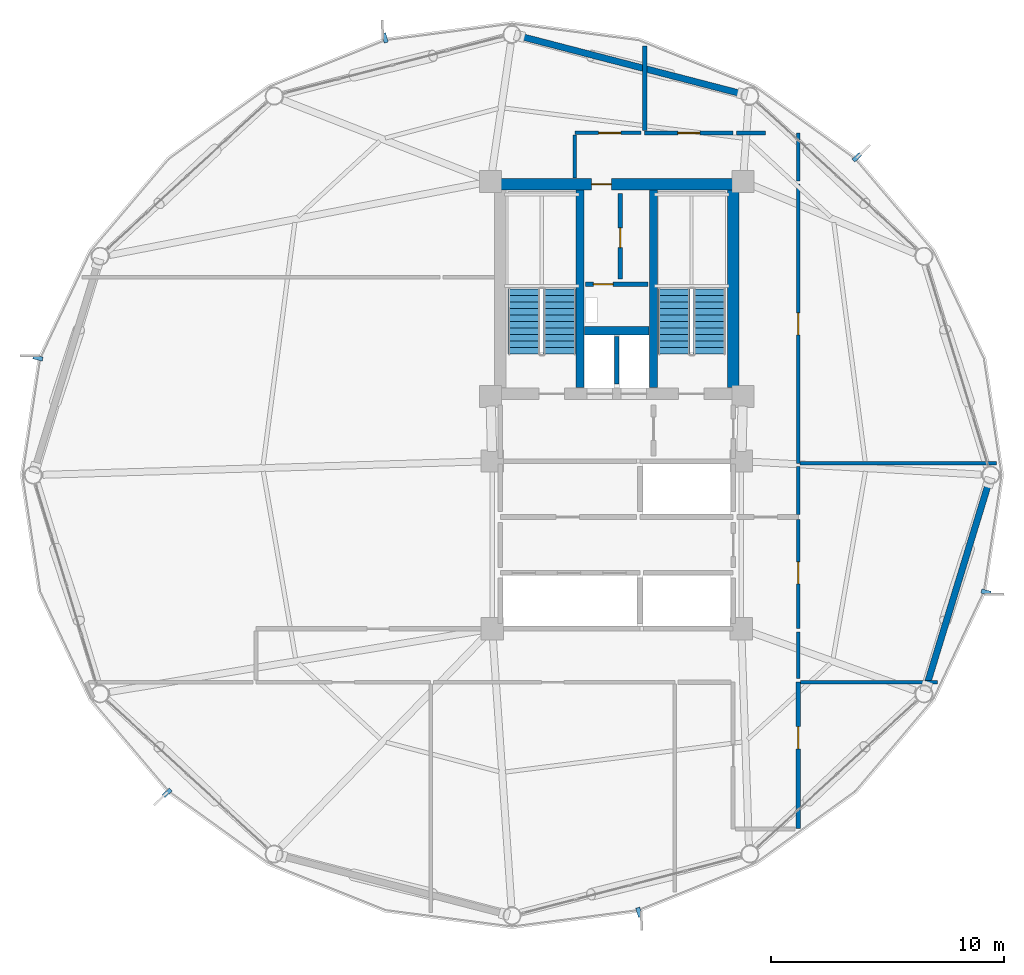
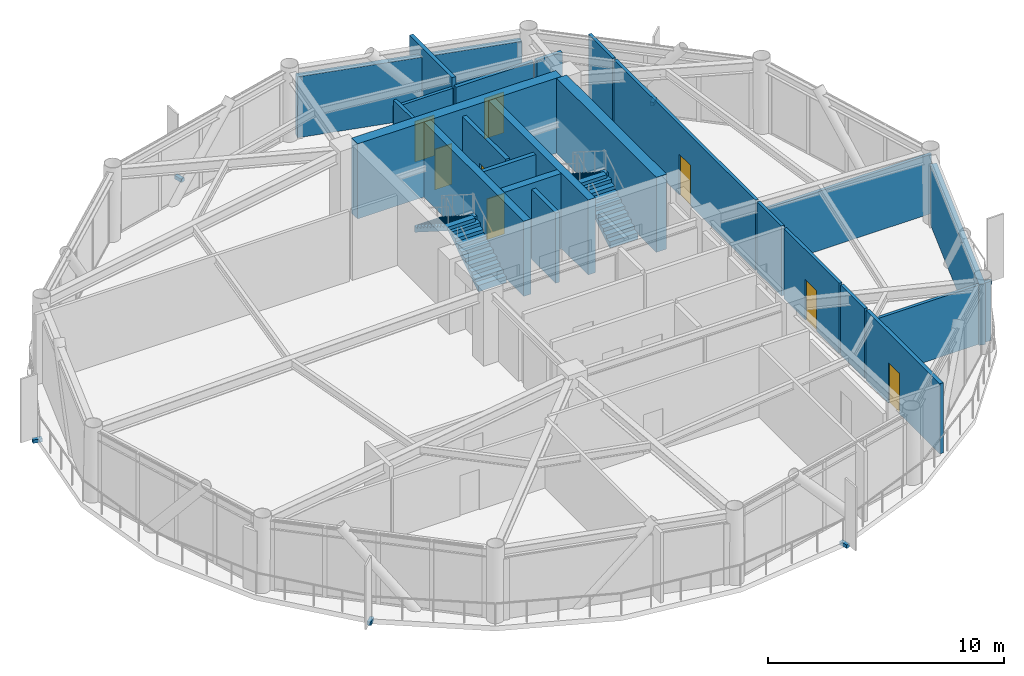
# One storey, part 21 of 24: 23 walls, 8 doors, 6 discrete accessories, 4 stair flights, 8 openings, 2 elements without a shape of their own.
"""IFC4 building model written with IfcOpenShell, lengths in metres."""

from ifc_helpers import new_model, si_unit, direction, frame, frame_2d, origin, origin_2d, place, context, subcontext, project, spatial, polyline, rectangle, outline, extrude, source, transform, mapped, material, layer, layer_set, type_object, type_shapes, element, fill, aggregate, save


model = new_model("IFC4")

# Units and contexts
model_context = context("Model", 3, precision=1e-05, world=origin(), true_north=direction((0.0, 1.0)))
body_context = subcontext(model_context, "Body", "Model", "MODEL_VIEW")
ifc_project = project(units=[si_unit("LENGTHUNIT", "METRE"), si_unit("AREAUNIT", "SQUARE_METRE"), si_unit("VOLUMEUNIT", "CUBIC_METRE"), si_unit("PLANEANGLEUNIT", "RADIAN"), si_unit("MASSUNIT", "GRAM", prefix="KILO")], contexts=[model_context])

# Site, building, storey
site_placement = place(None, origin())
site = spatial("IfcSite", under=ifc_project, at=site_placement, CompositionType="ELEMENT")
building_placement = place(site_placement, origin())
building = spatial("IfcBuilding", under=site, at=building_placement, Name="Varnakorn Sky Granary", CompositionType="ELEMENT")
storey_placement = place(building_placement, frame((0.0, 0.0, 161.699951171875)))
storey = spatial("IfcBuildingStorey", under=building, at=storey_placement, Name="L40", CompositionType="ELEMENT", Elevation=161.699951171875)

# Walls
ifc_material_1 = material(Name="Concrete C50/60", Category="concrete")
ifc_layer_1 = layer(ifc_material_1, 0.35009765625, Name="Concrete C50/60")
ifc_layer_set_1 = layer_set([ifc_layer_1], Name="Concrete C50/60")
wall_type_1 = type_object("IfcWallType", Name="WT-CW-INT-350", PredefinedType="SHEAR", material=ifc_layer_set_1)
for number, where, z_axis, x_axis, name in (
    (1, (1.419921875, 3.760009765625, 0.0), (0.0, 0.0, 1.0), (0.0, 1.0, 0.0), "Stair ST-1 Core Wall L40"),
    (2, (4.580078125, 3.760009765625, 0.0), (0.0, 0.0, 1.0), (0.0, 1.0, 0.0), "Stair ST-2 Core Wall L40"),
):
    element("IfcWall", number, at=place(storey_placement, frame(where, z_axis=z_axis, x_axis=x_axis)), inside=storey, type_object=wall_type_1, Name=name, PredefinedType="SHEAR", context=body_context, shape_type="SweptSolid", body=[
        extrude(rectangle(XDim=8.47998046875, YDim=0.35009765625, at=frame_2d((4.239990234375, 0.0))), origin(), (0.0, 0.0, 1.0), 3.89208984375),
    ])
wall_1_placement = place(storey_placement, frame((1.610107421875, 6.199951171875, 0.0), z_axis=(0.0, 0.0, 1.0), x_axis=(1.0, 0.0, 0.0)))
element("IfcWall", 3, at=wall_1_placement, inside=storey, type_object=wall_type_1, Name="Core Lift Shaft Cross Wall L40", PredefinedType="SHEAR", context=body_context, shape_type="SweptSolid", body=[
    extrude(rectangle(XDim=2.77978515625, YDim=0.35009765625, at=frame_2d((1.389892578125, 0.0))), origin(), (0.0, 0.0, 1.0), 3.89208984375),
])

# Wall, opening, door
ifc_material_2 = material(Name="Concrete C60/75", Category="concrete")
ifc_layer_2 = layer(ifc_material_2, 0.5, Name="Concrete C60/75")
ifc_layer_set_2 = layer_set([ifc_layer_2], Name="Concrete C60/75")
wall_type_2 = type_object("IfcWallType", Name="WT-CW-SHEAR-500", PredefinedType="SHEAR", material=ifc_layer_set_2)
wall_2_placement = place(storey_placement, frame((-2.0, 12.5, 0.0), z_axis=(0.0, 0.0, 1.0), x_axis=(1.0, 0.0, 0.0)))
wall_2 = element("IfcWall", 4, at=wall_2_placement, inside=storey, type_object=wall_type_2, Name="Core North Shear Wall L40", PredefinedType="SHEAR", context=body_context, shape_type="SweptSolid", body=[
    extrude(rectangle(XDim=10.0, YDim=0.5, at=frame_2d((5.0, 0.0))), origin(), (0.0, 0.0, 1.0), 3.89208984375),
])
opening_1_placement = place(wall_2_placement, frame((3.919921875, 0.0, 0.0)))
opening_1 = element("IfcOpeningElement", 5, at=opening_1_placement, cuts=wall_2, Name="Opening FD-60N", PredefinedType="OPENING", context=body_context, shape_type="SweptSolid", body=[
    extrude(rectangle(XDim=0.85009765625, YDim=2.10009765625, at=frame_2d((0.425048828125, 1.050048828125))), frame((0.0, 0.260009765625, 0.0), z_axis=(0.0, -1.0, 0.0), x_axis=(1.0, 0.0, 0.0)), (0.0, 0.0, 1.0), 0.52001953125),
])
ifc_material_3 = material(Name="Acoustic Timber Fire Leaf", Category="wood")
door_type_1 = type_object("IfcDoorType", Name="DR-FD60-850", OperationType="NOTDEFINED", PredefinedType="DOOR", material=ifc_material_3)
door_1_placement = place(opening_1_placement, origin())
door_1 = element("IfcDoor", 6, at=door_1_placement, inside=storey, type_object=door_type_1, Name="Core North Service Door L40", OperationType="SINGLE_SWING_RIGHT", OverallHeight=2.10009765625, OverallWidth=0.85009765625, PredefinedType="DOOR", context=body_context, shape_type="SweptSolid", body=[
    extrude(rectangle(XDim=0.85009765625, YDim=2.10009765625, at=frame_2d((0.425048828125, 1.050048828125))), frame((0.0, 0.02490234375, 0.0), z_axis=(0.0, -1.0, 0.0), x_axis=(1.0, 0.0, 0.0)), (0.0, 0.0, 1.0), 0.050048828125),
])
fill(opening_1, door_1)

# Walls
wall_3_placement = place(storey_placement, frame((8.0, 3.760009765625, 0.0), z_axis=(0.0, 0.0, 1.0), x_axis=(0.0, 1.0, 0.0)))
element("IfcWall", 7, at=wall_3_placement, inside=storey, type_object=wall_type_2, Name="Core East Shear Wall L40", PredefinedType="SHEAR", context=body_context, shape_type="SweptSolid", body=[
    extrude(rectangle(XDim=8.47998046875, YDim=0.5, at=frame_2d((4.239990234375, 0.0))), origin(), (0.0, 0.0, 1.0), 3.89208984375),
])
ifc_material_4 = material(Name="Precast concrete C40/50", Category="concrete")
ifc_layer_3 = layer(ifc_material_4, 0.280029296875, Name="Precast concrete C40/50")
ifc_layer_set_3 = layer_set([ifc_layer_3], Name="Precast concrete C40/50")
wall_type_3 = type_object("IfcWallType", Name="WT-EW-CRN-280", PredefinedType="SOLIDWALL", material=ifc_layer_set_3)
wall_4_placement = place(storey_placement, frame((-1.1748046875, 18.860595703125, 0.0), z_axis=(0.0, 0.0, 1.0), x_axis=(0.96789688357, -0.251347613429, 0.0)))
element("IfcWall", 8, at=wall_4_placement, inside=storey, type_object=wall_type_3, Name="Agritech Insulated Precast Facade Wall L40-P03", PredefinedType="SOLIDWALL", context=body_context, shape_type="SweptSolid", body=[
    extrude(rectangle(XDim=9.89111328125, YDim=0.280029296875, at=frame_2d((4.945556640625, 0.0))), origin(), (0.0, 0.0, 1.0), 3.16015625),
])
wall_5_placement = place(storey_placement, frame((18.98486328125, -0.3212890625, 0.0), z_axis=(0.0, 0.0, 1.0), x_axis=(-0.292299091036, -0.95632695318, 0.0)))
element("IfcWall", 9, at=wall_5_placement, inside=storey, type_object=wall_type_3, Name="Agritech Insulated Precast Facade Wall L40-P12", PredefinedType="SOLIDWALL", context=body_context, shape_type="SweptSolid", body=[
    extrude(rectangle(XDim=9.16259765625, YDim=0.280029296875, at=frame_2d((4.581298828125, 0.0))), origin(), (0.0, 0.0, 1.0), 3.16015625),
])

# Wall, opening, door
ifc_material_5 = material(Name="Autoclaved Aerated Concrete Blockwork", Category="masonry")
ifc_layer_4 = layer(ifc_material_5, 0.199951171875, Name="Autoclaved Aerated Concrete Blockwork")
ifc_layer_set_4 = layer_set([ifc_layer_4], Name="Autoclaved Aerated Concrete Blockwork")
wall_type_4 = type_object("IfcWallType", Name="WT-FIRE-200", PredefinedType="MOVABLE", material=ifc_layer_set_4)
wall_6_placement = place(storey_placement, frame((1.64990234375, 8.199951171875, 0.0), z_axis=(0.0, 0.0, 1.0), x_axis=(1.0, 0.0, 0.0)))
wall_6 = element("IfcWall", 10, at=wall_6_placement, inside=storey, type_object=wall_type_4, Name="Interior Partition Wall L40-013", PredefinedType="MOVABLE", context=body_context, shape_type="SweptSolid", body=[
    extrude(rectangle(XDim=2.7001953125, YDim=0.199951171875, at=frame_2d((1.35009765625, 0.0))), origin(), (0.0, 0.0, 1.0), 3.64013671875),
])
opening_2_placement = place(wall_6_placement, frame((0.35009765625, 0.0, 0.0)))
opening_2 = element("IfcOpeningElement", 11, at=opening_2_placement, cuts=wall_6, Name="Opening FD-60N", PredefinedType="OPENING", context=body_context, shape_type="SweptSolid", body=[
    extrude(rectangle(XDim=0.85009765625, YDim=2.10009765625, at=frame_2d((0.425048828125, 1.050048828125))), frame((0.0, 0.10986328125, 0.0), z_axis=(0.0, -1.0, 0.0), x_axis=(1.0, 0.0, 0.0)), (0.0, 0.0, 1.0), 0.219970703125),
])
door_2_placement = place(opening_2_placement, origin())
door_2 = element("IfcDoor", 12, at=door_2_placement, inside=storey, type_object=door_type_1, Name="Interior Door L40-013-1", OperationType="SINGLE_SWING_LEFT", OverallHeight=2.10009765625, OverallWidth=0.85009765625, PredefinedType="DOOR", context=body_context, shape_type="SweptSolid", body=[
    extrude(rectangle(XDim=0.85009765625, YDim=2.10009765625, at=frame_2d((0.425048828125, 1.050048828125))), frame((0.0, 0.02490234375, 0.0), z_axis=(0.0, -1.0, 0.0), x_axis=(1.0, 0.0, 0.0)), (0.0, 0.0, 1.0), 0.050048828125),
])
fill(opening_2, door_2)

wall_7_placement = place(storey_placement, frame((3.14990234375, 8.429931640625, 0.0), z_axis=(0.0, 0.0, 1.0), x_axis=(0.0, 1.0, 0.0)))
wall_7 = element("IfcWall", 13, at=wall_7_placement, inside=storey, type_object=wall_type_4, Name="Interior Partition Wall L40-014", PredefinedType="MOVABLE", context=body_context, shape_type="SweptSolid", body=[
    extrude(rectangle(XDim=3.670166015625, YDim=0.199951171875, at=frame_2d((1.8349609375, 0.0))), origin(), (0.0, 0.0, 1.0), 3.64013671875),
])
opening_3_placement = place(wall_7_placement, frame((1.340087890625, 0.0, 0.0)))
opening_3 = element("IfcOpeningElement", 14, at=opening_3_placement, cuts=wall_7, Name="Opening FD-60N", PredefinedType="OPENING", context=body_context, shape_type="SweptSolid", body=[
    extrude(rectangle(XDim=0.85009765625, YDim=2.10009765625, at=frame_2d((0.425048828125, 1.050048828125))), frame((0.0, 0.10986328125, 0.0), z_axis=(0.0, -1.0, 0.0), x_axis=(1.0, 0.0, 0.0)), (0.0, 0.0, 1.0), 0.219970703125),
])
door_3_placement = place(opening_3_placement, origin())
door_3 = element("IfcDoor", 15, at=door_3_placement, inside=storey, type_object=door_type_1, Name="Interior Door L40-014-1", OperationType="SINGLE_SWING_RIGHT", OverallHeight=2.10009765625, OverallWidth=0.85009765625, PredefinedType="DOOR", context=body_context, shape_type="SweptSolid", body=[
    extrude(rectangle(XDim=0.85009765625, YDim=2.10009765625, at=frame_2d((0.425048828125, 1.050048828125))), frame((0.0, 0.02490234375, 0.0), z_axis=(0.0, -1.0, 0.0), x_axis=(1.0, 0.0, 0.0)), (0.0, 0.0, 1.0), 0.050048828125),
])
fill(opening_3, door_3)

ifc_material_6 = material(Name="Gypsum Plasterboard on Steel Stud", Category="steel")
ifc_layer_5 = layer(ifc_material_6, 0.14990234375, Name="Gypsum Plasterboard on Steel Stud")
ifc_layer_set_5 = layer_set([ifc_layer_5], Name="Gypsum Plasterboard on Steel Stud")
wall_type_5 = type_object("IfcWallType", Name="WT-PART-150", PredefinedType="PARTITIONING", material=ifc_layer_set_5)
wall_8_placement = place(storey_placement, frame((4.050048828125, 14.699951171875, 0.0), z_axis=(0.0, 0.0, 1.0), x_axis=(-1.0, 0.0, 0.0)))
wall_8 = element("IfcWall", 16, at=wall_8_placement, inside=storey, type_object=wall_type_5, Name="Interior Partition Wall L40-026", PredefinedType="PARTITIONING", context=body_context, shape_type="SweptSolid", body=[
    extrude(rectangle(XDim=2.85009765625, YDim=0.14990234375, at=frame_2d((1.425048828125, 0.0))), origin(), (0.0, 0.0, 1.0), 3.22216796875),
])
opening_4_placement = place(wall_8_placement, frame((0.875, 0.0, 0.0)))
opening_4 = element("IfcOpeningElement", 17, at=opening_4_placement, cuts=wall_8, Name="Opening ID-95", PredefinedType="OPENING", context=body_context, shape_type="SweptSolid", body=[
    extrude(rectangle(XDim=0.949951171875, YDim=2.10009765625, at=frame_2d((0.47509765625, 1.050048828125))), frame((0.0, 0.0849609375, 0.0), z_axis=(0.0, -1.0, 0.0), x_axis=(1.0, 0.0, 0.0)), (0.0, 0.0, 1.0), 0.169921875),
])
ifc_material_7 = material(Name="Solid-Core Teak Veneer Leaf", Category="timber")
door_type_2 = type_object("IfcDoorType", Name="DR-INT-950", OperationType="NOTDEFINED", PredefinedType="DOOR", material=ifc_material_7)
door_4_placement = place(opening_4_placement, origin())
door_4 = element("IfcDoor", 18, at=door_4_placement, inside=storey, type_object=door_type_2, Name="Interior Door L40-026-1", OperationType="SINGLE_SWING_RIGHT", OverallHeight=2.10009765625, OverallWidth=0.949951171875, PredefinedType="DOOR", context=body_context, shape_type="SweptSolid", body=[
    extrude(rectangle(XDim=0.949951171875, YDim=2.10009765625, at=frame_2d((0.47509765625, 1.050048828125))), frame((0.0, 0.02490234375, 0.0), z_axis=(0.0, -1.0, 0.0), x_axis=(1.0, 0.0, 0.0)), (0.0, 0.0, 1.0), 0.050048828125),
])
fill(opening_4, door_4)

wall_9_placement = place(storey_placement, frame((10.800048828125, -6.60009765625, 0.0), z_axis=(0.0, 0.0, 1.0), x_axis=(0.0, 1.0, 0.0)))
wall_9 = element("IfcWall", 19, at=wall_9_placement, inside=storey, type_object=wall_type_5, Name="Interior Partition Wall L40-027", PredefinedType="PARTITIONING", context=body_context, shape_type="SweptSolid", body=[
    extrude(rectangle(XDim=4.690185546875, YDim=0.14990234375, at=frame_2d((2.34521484375, 0.0))), origin(), (0.0, 0.0, 1.0), 3.64013671875),
])
opening_5_placement = place(wall_9_placement, frame((1.925048828125, 0.0, 0.0)))
opening_5 = element("IfcOpeningElement", 20, at=opening_5_placement, cuts=wall_9, Name="Opening ID-95", PredefinedType="OPENING", context=body_context, shape_type="SweptSolid", body=[
    extrude(rectangle(XDim=0.949951171875, YDim=2.10009765625, at=frame_2d((0.47509765625, 1.050048828125))), frame((0.0, 0.0849609375, 0.0), z_axis=(0.0, -1.0, 0.0), x_axis=(1.0, 0.0, 0.0)), (0.0, 0.0, 1.0), 0.169921875),
])
door_5_placement = place(opening_5_placement, origin())
door_5 = element("IfcDoor", 21, at=door_5_placement, inside=storey, type_object=door_type_2, Name="Interior Door L40-027-1", OperationType="SINGLE_SWING_LEFT", OverallHeight=2.10009765625, OverallWidth=0.949951171875, PredefinedType="DOOR", context=body_context, shape_type="SweptSolid", body=[
    extrude(rectangle(XDim=0.949951171875, YDim=2.10009765625, at=frame_2d((0.47509765625, 1.050048828125))), frame((0.0, 0.02490234375, 0.0), z_axis=(0.0, -1.0, 0.0), x_axis=(1.0, 0.0, 0.0)), (0.0, 0.0, 1.0), 0.050048828125),
])
fill(opening_5, door_5)

wall_10_placement = place(storey_placement, frame((10.800048828125, 0.5, 0.0), z_axis=(0.0, 0.0, 1.0), x_axis=(0.0, 1.0, 0.0)))
wall_10 = element("IfcWall", 22, at=wall_10_placement, inside=storey, type_object=wall_type_5, Name="Interior Partition Wall L40-028", PredefinedType="PARTITIONING", context=body_context, shape_type="SweptSolid", body=[
    extrude(rectangle(XDim=12.0, YDim=0.14990234375, at=frame_2d((6.0, 0.0))), origin(), (0.0, 0.0, 1.0), 3.64013671875),
])
opening_6_placement = place(wall_10_placement, frame((5.52490234375, 0.0, 0.0)))
opening_6 = element("IfcOpeningElement", 23, at=opening_6_placement, cuts=wall_10, Name="Opening ID-95", PredefinedType="OPENING", context=body_context, shape_type="SweptSolid", body=[
    extrude(rectangle(XDim=0.949951171875, YDim=2.10009765625, at=frame_2d((0.47509765625, 1.050048828125))), frame((0.0, 0.0849609375, 0.0), z_axis=(0.0, -1.0, 0.0), x_axis=(1.0, 0.0, 0.0)), (0.0, 0.0, 1.0), 0.169921875),
])
door_6_placement = place(opening_6_placement, origin())
door_6 = element("IfcDoor", 24, at=door_6_placement, inside=storey, type_object=door_type_2, Name="Interior Door L40-028-1", OperationType="SINGLE_SWING_RIGHT", OverallHeight=2.10009765625, OverallWidth=0.949951171875, PredefinedType="DOOR", context=body_context, shape_type="SweptSolid", body=[
    extrude(rectangle(XDim=0.949951171875, YDim=2.10009765625, at=frame_2d((0.47509765625, 1.050048828125))), frame((0.0, 0.02490234375, 0.0), z_axis=(0.0, -1.0, 0.0), x_axis=(1.0, 0.0, 0.0)), (0.0, 0.0, 1.0), 0.050048828125),
])
fill(opening_6, door_6)

# Walls
wall_11_placement = place(storey_placement, frame((10.89990234375, -8.89990234375, 0.0), z_axis=(0.0, 0.0, 1.0), x_axis=(1.0, 0.0, 0.0)))
element("IfcWall", 25, at=wall_11_placement, inside=storey, type_object=wall_type_5, Name="Interior Partition Wall L40-040", PredefinedType="PARTITIONING", context=body_context, shape_type="SweptSolid", body=[
    extrude(rectangle(XDim=5.88818359375, YDim=0.14990234375, at=frame_2d((2.944091796875, 0.0))), origin(), (0.0, 0.0, 1.0), 3.072021484375),
])
wall_12_placement = place(storey_placement, frame((1.199951171875, 14.614990234375, 0.0), z_axis=(0.0, 0.0, 1.0), x_axis=(0.0, -1.0, 0.0)))
element("IfcWall", 26, at=wall_12_placement, inside=storey, type_object=wall_type_5, Name="Interior Partition Wall L40-044", PredefinedType="PARTITIONING", context=body_context, shape_type="SweptSolid", body=[
    extrude(rectangle(XDim=1.85498046875, YDim=0.14990234375, at=frame_2d((0.927490234375, 0.0))), origin(), (0.0, 0.0, 1.0), 3.64013671875),
])
wall_13_placement = place(storey_placement, frame((10.800048828125, -8.75, 0.0), z_axis=(0.0, 0.0, 1.0), x_axis=(0.0, 1.0, 0.0)))
element("IfcWall", 27, at=wall_13_placement, inside=storey, type_object=wall_type_5, Name="Interior Partition Wall L40-046", PredefinedType="PARTITIONING", context=body_context, shape_type="SweptSolid", body=[
    extrude(rectangle(XDim=2.014892578125, YDim=0.14990234375, at=frame_2d((1.00732421875, 0.0))), origin(), (0.0, 0.0, 1.0), 3.64013671875),
])
wall_14_placement = place(storey_placement, frame((10.800048828125, -1.68994140625, 0.0), z_axis=(0.0, 0.0, 1.0), x_axis=(0.0, 1.0, 0.0)))
element("IfcWall", 28, at=wall_14_placement, inside=storey, type_object=wall_type_5, Name="Interior Partition Wall L40-047", PredefinedType="PARTITIONING", context=body_context, shape_type="SweptSolid", body=[
    extrude(rectangle(XDim=2.054931640625, YDim=0.14990234375, at=frame_2d((1.02734375, 0.0))), origin(), (0.0, 0.0, 1.0), 3.64013671875),
])
wall_15_placement = place(storey_placement, frame((10.885009765625, 0.5, 0.0), z_axis=(0.0, 0.0, 1.0), x_axis=(1.0, 0.0, 0.0)))
element("IfcWall", 29, at=wall_15_placement, inside=storey, type_object=wall_type_5, Name="Interior Partition Wall L40-048", PredefinedType="PARTITIONING", context=body_context, shape_type="SweptSolid", body=[
    extrude(rectangle(XDim=8.431884765625, YDim=0.14990234375, at=frame_2d((4.2158203125, 0.0))), origin(), (0.0, 0.0, 1.0), 3.072021484375),
])
wall_16_placement = place(storey_placement, frame((10.800048828125, 12.635009765625, 0.0), z_axis=(0.0, 0.0, 1.0), x_axis=(0.0, 1.0, 0.0)))
element("IfcWall", 30, at=wall_16_placement, inside=storey, type_object=wall_type_5, Name="Interior Partition Wall L40-049", PredefinedType="PARTITIONING", context=body_context, shape_type="SweptSolid", body=[
    extrude(rectangle(XDim=2.06494140625, YDim=0.14990234375, at=frame_2d((1.032470703125, 0.0))), origin(), (0.0, 0.0, 1.0), 3.64013671875),
])

# Wall, opening, door
ifc_material_8 = material(Name="Moisture-Resistant Gypsum on Stud", Category="gypsum")
ifc_layer_6 = layer(ifc_material_8, 0.179931640625, Name="Moisture-Resistant Gypsum on Stud")
ifc_layer_set_6 = layer_set([ifc_layer_6], Name="Moisture-Resistant Gypsum on Stud")
wall_type_6 = type_object("IfcWallType", Name="WT-PLUMB-180", PredefinedType="PLUMBINGWALL", material=ifc_layer_set_6)
wall_17_placement = place(storey_placement, frame((8.0, 14.699951171875, 0.0), z_axis=(0.0, 0.0, 1.0), x_axis=(-1.0, 0.0, 0.0)))
wall_17 = element("IfcWall", 31, at=wall_17_placement, inside=storey, type_object=wall_type_6, Name="Interior Partition Wall L40-020", PredefinedType="PLUMBINGWALL", context=body_context, shape_type="SweptSolid", body=[
    extrude(rectangle(XDim=3.800048828125, YDim=0.179931640625, at=frame_2d((1.89990234375, 0.0))), origin(), (0.0, 0.0, 1.0), 3.22216796875),
])
opening_7_placement = place(wall_17_placement, frame((1.425048828125, 0.0, 0.0)))
opening_7 = element("IfcOpeningElement", 32, at=opening_7_placement, cuts=wall_17, Name="Opening ID-95", PredefinedType="OPENING", context=body_context, shape_type="SweptSolid", body=[
    extrude(rectangle(XDim=0.949951171875, YDim=2.10009765625, at=frame_2d((0.47509765625, 1.050048828125))), frame((0.0, 0.10009765625, 0.0), z_axis=(0.0, -1.0, 0.0), x_axis=(1.0, 0.0, 0.0)), (0.0, 0.0, 1.0), 0.199951171875),
])
door_7_placement = place(opening_7_placement, origin())
door_7 = element("IfcDoor", 33, at=door_7_placement, inside=storey, type_object=door_type_2, Name="Interior Door L40-020-1", OperationType="SINGLE_SWING_RIGHT", OverallHeight=2.10009765625, OverallWidth=0.949951171875, PredefinedType="DOOR", context=body_context, shape_type="SweptSolid", body=[
    extrude(rectangle(XDim=0.949951171875, YDim=2.10009765625, at=frame_2d((0.47509765625, 1.050048828125))), frame((0.0, 0.02490234375, 0.0), z_axis=(0.0, -1.0, 0.0), x_axis=(1.0, 0.0, 0.0)), (0.0, 0.0, 1.0), 0.050048828125),
])
fill(opening_7, door_7)

wall_18_placement = place(storey_placement, frame((10.800048828125, -15.176025390625, 0.0), z_axis=(0.0, 0.0, 1.0), x_axis=(0.0, 1.0, 0.0)))
wall_18 = element("IfcWall", 34, at=wall_18_placement, inside=storey, type_object=wall_type_6, Name="Interior Partition Wall L40-024", PredefinedType="PLUMBINGWALL", context=body_context, shape_type="SweptSolid", body=[
    extrude(rectangle(XDim=6.276123046875, YDim=0.179931640625, at=frame_2d((3.13818359375, 0.0))), origin(), (0.0, 0.0, 1.0), 3.64013671875),
])
opening_8_placement = place(wall_18_placement, frame((3.4130859375, 0.0, 0.0)))
opening_8 = element("IfcOpeningElement", 35, at=opening_8_placement, cuts=wall_18, Name="Opening ID-95", PredefinedType="OPENING", context=body_context, shape_type="SweptSolid", body=[
    extrude(rectangle(XDim=0.949951171875, YDim=2.10009765625, at=frame_2d((0.47509765625, 1.050048828125))), frame((0.0, 0.10009765625, 0.0), z_axis=(0.0, -1.0, 0.0), x_axis=(1.0, 0.0, 0.0)), (0.0, 0.0, 1.0), 0.199951171875),
])
door_8_placement = place(opening_8_placement, origin())
door_8 = element("IfcDoor", 36, at=door_8_placement, inside=storey, type_object=door_type_2, Name="Interior Door L40-024-1", OperationType="SINGLE_SWING_RIGHT", OverallHeight=2.10009765625, OverallWidth=0.949951171875, PredefinedType="DOOR", context=body_context, shape_type="SweptSolid", body=[
    extrude(rectangle(XDim=0.949951171875, YDim=2.10009765625, at=frame_2d((0.47509765625, 1.050048828125))), frame((0.0, 0.02490234375, 0.0), z_axis=(0.0, -1.0, 0.0), x_axis=(1.0, 0.0, 0.0)), (0.0, 0.0, 1.0), 0.050048828125),
])
fill(opening_8, door_8)

# Walls
wall_19_placement = place(storey_placement, frame((9.39990234375, 14.699951171875, 0.0), z_axis=(0.0, 0.0, 1.0), x_axis=(-1.0, 0.0, 0.0)))
element("IfcWall", 37, at=wall_19_placement, inside=storey, type_object=wall_type_6, Name="Interior Partition Wall L40-033", PredefinedType="PLUMBINGWALL", context=body_context, shape_type="SweptSolid", body=[
    extrude(rectangle(XDim=1.25, YDim=0.179931640625, at=frame_2d((0.625, 0.0))), origin(), (0.0, 0.0, 1.0), 3.22216796875),
])
wall_20_placement = place(storey_placement, frame((4.199951171875, 18.43408203125, 0.0), z_axis=(0.0, 0.0, 1.0), x_axis=(0.0, -1.0, 0.0)))
element("IfcWall", 38, at=wall_20_placement, inside=storey, type_object=wall_type_6, Name="Interior Partition Wall L40-045", PredefinedType="PLUMBINGWALL", context=body_context, shape_type="SweptSolid", body=[
    extrude(rectangle(XDim=3.634033203125, YDim=0.179931640625, at=frame_2d((1.81689453125, 0.0))), origin(), (0.0, 0.0, 1.0), 3.64013671875),
])
ifc_layer_7 = layer(ifc_material_5, 0.199951171875, Name="Autoclaved Aerated Concrete Blockwork")
ifc_layer_set_7 = layer_set([ifc_layer_7], Name="Autoclaved Aerated Concrete Blockwork")
wall_type_7 = type_object("IfcWallType", Name="WT-SHAFT-200", PredefinedType="SOLIDWALL", material=ifc_layer_set_7)
wall_21_placement = place(storey_placement, frame((3.0, 3.919921875, 0.0), z_axis=(0.0, 0.0, 1.0), x_axis=(0.0, 1.0, 0.0)))
element("IfcWall", 39, at=wall_21_placement, inside=storey, type_object=wall_type_7, Name="Interior Partition Wall L40-001", PredefinedType="SOLIDWALL", context=body_context, shape_type="SweptSolid", body=[
    extrude(rectangle(XDim=2.030029296875, YDim=0.199951171875, at=frame_2d((1.01513671875, 0.0))), origin(), (0.0, 0.0, 1.0), 3.64013671875),
])

# Stair, stair flights
ifc_material_9 = material(Name="Concrete C40/50", Category="concrete")
stair_type = type_object("IfcStairType", Name="ST-MAIN-ASSEMBLY", PredefinedType="HALF_TURN_STAIR", material=ifc_material_9)
stair_1_placement = place(storey_placement, origin())
stair_1 = element("IfcStair", 40, at=stair_1_placement, inside=storey, type_object=stair_type, Name="L40 Protected Exit Stair ST-1", PredefinedType="HALF_TURN_STAIR")
stair_flight_type = type_object("IfcStairFlightType", Name="ST-MAIN-FLIGHT", PredefinedType="STRAIGHT", material=ifc_material_9)
stair_flight_1_placement = place(storey_placement, frame((0.550048828125, 5.199951171875, 0.0), z_axis=(0.0, 0.0, 1.0), x_axis=(0.0, 1.0, 0.0)))
stair_flight_1 = element("IfcStairFlight", 41, at=stair_flight_1_placement, type_object=stair_flight_type, Name="ST-1 flight 1", NumberOfRisers=11, NumberOfTreads=10, PredefinedType="STRAIGHT", RiserHeight=0.177272727, TreadLength=0.28, context=body_context, shape_type="SweptSolid", body=[
    extrude(outline(polyline([(0.0, -0.14990234375), (0.0, 0.0), (0.0, 0.17724609375), (0.280029296875, 0.17724609375), (0.280029296875, 0.3544921875), (0.56005859375, 0.3544921875), (0.56005859375, 0.53173828125), (0.840087890625, 0.53173828125), (0.840087890625, 0.708984375), (1.1201171875, 0.708984375), (1.1201171875, 0.886474609375), (1.39990234375, 0.886474609375), (1.39990234375, 1.063720703125), (1.679931640625, 1.063720703125), (1.679931640625, 1.240966796875), (1.9599609375, 1.240966796875), (1.9599609375, 1.418212890625), (2.239990234375, 1.418212890625), (2.239990234375, 1.595458984375), (2.52001953125, 1.595458984375), (2.52001953125, 1.772705078125), (2.800048828125, 1.772705078125), (2.800048828125, 1.949951171875), (2.800048828125, 1.59521484375), (0.050048828125, -0.14990234375), (0.0, -0.14990234375)])), frame((0.0, 0.68994140625, 0.0), z_axis=(0.0, -1.0, 0.0), x_axis=(1.0, 0.0, 0.0)), (0.0, 0.0, 1.0), 1.3798828125),
])
stair_flight_2_placement = place(storey_placement, frame((-0.97998046875, 8.0, 1.949951171875), z_axis=(0.0, 0.0, 1.0), x_axis=(0.0, -1.0, 0.0)))
stair_flight_2 = element("IfcStairFlight", 42, at=stair_flight_2_placement, type_object=stair_flight_type, Name="ST-1 flight 2", NumberOfRisers=11, NumberOfTreads=10, PredefinedType="STRAIGHT", RiserHeight=0.177272727, TreadLength=0.28, context=body_context, shape_type="SweptSolid", body=[
    extrude(outline(polyline([(0.0, -0.14990234375), (0.0, 0.0), (0.0, 0.17724609375), (0.280029296875, 0.17724609375), (0.280029296875, 0.3544921875), (0.56005859375, 0.3544921875), (0.56005859375, 0.53173828125), (0.840087890625, 0.53173828125), (0.840087890625, 0.708984375), (1.1201171875, 0.708984375), (1.1201171875, 0.886474609375), (1.39990234375, 0.886474609375), (1.39990234375, 1.063720703125), (1.679931640625, 1.063720703125), (1.679931640625, 1.240966796875), (1.9599609375, 1.240966796875), (1.9599609375, 1.418212890625), (2.239990234375, 1.418212890625), (2.239990234375, 1.595458984375), (2.52001953125, 1.595458984375), (2.52001953125, 1.772705078125), (2.800048828125, 1.772705078125), (2.800048828125, 1.949951171875), (2.800048828125, 1.59521484375), (0.050048828125, -0.14990234375), (0.0, -0.14990234375)])), frame((0.0, 0.68994140625, 0.0), z_axis=(0.0, -1.0, 0.0), x_axis=(1.0, 0.0, 0.0)), (0.0, 0.0, 1.0), 1.3798828125),
])
aggregate(stair_1, [stair_flight_1, stair_flight_2])

stair_2_placement = place(storey_placement, origin())
stair_2 = element("IfcStair", 43, at=stair_2_placement, inside=storey, type_object=stair_type, Name="L40 Protected Exit Stair ST-2", PredefinedType="HALF_TURN_STAIR")
stair_flight_3_placement = place(storey_placement, frame((6.989990234375, 5.199951171875, 0.0), z_axis=(0.0, 0.0, 1.0), x_axis=(0.0, 1.0, 0.0)))
stair_flight_3 = element("IfcStairFlight", 44, at=stair_flight_3_placement, type_object=stair_flight_type, Name="ST-2 flight 1", NumberOfRisers=11, NumberOfTreads=10, PredefinedType="STRAIGHT", RiserHeight=0.177272727, TreadLength=0.28, context=body_context, shape_type="SweptSolid", body=[
    extrude(outline(polyline([(0.0, -0.14990234375), (0.0, 0.0), (0.0, 0.17724609375), (0.280029296875, 0.17724609375), (0.280029296875, 0.3544921875), (0.56005859375, 0.3544921875), (0.56005859375, 0.53173828125), (0.840087890625, 0.53173828125), (0.840087890625, 0.708984375), (1.1201171875, 0.708984375), (1.1201171875, 0.886474609375), (1.39990234375, 0.886474609375), (1.39990234375, 1.063720703125), (1.679931640625, 1.063720703125), (1.679931640625, 1.240966796875), (1.9599609375, 1.240966796875), (1.9599609375, 1.418212890625), (2.239990234375, 1.418212890625), (2.239990234375, 1.595458984375), (2.52001953125, 1.595458984375), (2.52001953125, 1.772705078125), (2.800048828125, 1.772705078125), (2.800048828125, 1.949951171875), (2.800048828125, 1.59521484375), (0.050048828125, -0.14990234375), (0.0, -0.14990234375)])), frame((0.0, 0.68994140625, 0.0), z_axis=(0.0, -1.0, 0.0), x_axis=(1.0, 0.0, 0.0)), (0.0, 0.0, 1.0), 1.3798828125),
])
stair_flight_4_placement = place(storey_placement, frame((5.4599609375, 8.0, 1.949951171875), z_axis=(0.0, 0.0, 1.0), x_axis=(0.0, -1.0, 0.0)))
stair_flight_4 = element("IfcStairFlight", 45, at=stair_flight_4_placement, type_object=stair_flight_type, Name="ST-2 flight 2", NumberOfRisers=11, NumberOfTreads=10, PredefinedType="STRAIGHT", RiserHeight=0.177272727, TreadLength=0.28, context=body_context, shape_type="SweptSolid", body=[
    extrude(outline(polyline([(0.0, -0.14990234375), (0.0, 0.0), (0.0, 0.17724609375), (0.280029296875, 0.17724609375), (0.280029296875, 0.3544921875), (0.56005859375, 0.3544921875), (0.56005859375, 0.53173828125), (0.840087890625, 0.53173828125), (0.840087890625, 0.708984375), (1.1201171875, 0.708984375), (1.1201171875, 0.886474609375), (1.39990234375, 0.886474609375), (1.39990234375, 1.063720703125), (1.679931640625, 1.063720703125), (1.679931640625, 1.240966796875), (1.9599609375, 1.240966796875), (1.9599609375, 1.418212890625), (2.239990234375, 1.418212890625), (2.239990234375, 1.595458984375), (2.52001953125, 1.595458984375), (2.52001953125, 1.772705078125), (2.800048828125, 1.772705078125), (2.800048828125, 1.949951171875), (2.800048828125, 1.59521484375), (0.050048828125, -0.14990234375), (0.0, -0.14990234375)])), frame((0.0, 0.68994140625, 0.0), z_axis=(0.0, -1.0, 0.0), x_axis=(1.0, 0.0, 0.0)), (0.0, 0.0, 1.0), 1.3798828125),
])
aggregate(stair_2, [stair_flight_3, stair_flight_4])

# Discrete accessories
ifc_material_10 = material(Name="Steel S355JR", Category="steel")
discrete_accessory_type = type_object("IfcDiscreteAccessoryType", Name="AC-BRK-01", PredefinedType="BRACKET", material=ifc_material_10)
shared_shape = source(origin(), body_context, "Body", "SweptSolid", [
    extrude(rectangle(XDim=0.179931640625, YDim=0.419921875, at=origin_2d()), origin(), (0.0, 0.0, 1.0), 0.179931640625),
])
type_shapes(discrete_accessory_type, [shared_shape])
for number, where, z_axis, x_axis, name in (
    (46, (13.319580078125, 13.654296875, -0.19970703125), (0.0, 0.0, 1.0), (-0.677602406317, 0.735428432245, 0.0), "Facade Solar-Screen Outrigger Bracket L40-02"),
    (47, (-6.96044921875, 18.78662109375, -0.19970703125), (0.0, 0.0, 1.0), (-0.960260804347, -0.279104259434, 0.0), "Facade Solar-Screen Outrigger Bracket L40-04"),
    (48, (-21.8701171875, 5.03173828125, -0.19970703125), (0.0, 0.0, 1.0), (-0.239810922781, -0.97081961317, 0.0), "Facade Solar-Screen Outrigger Bracket L40-06"),
    (49, (-16.319580078125, -13.654296875, -0.19970703125), (0.0, 0.0, 1.0), (0.677602406317, -0.735428432245, 0.0), "Facade Solar-Screen Outrigger Bracket L40-08"),
    (50, (3.96044921875, -18.78662109375, -0.19970703125), (0.0, 0.0, 1.0), (0.960260804347, 0.279104259434, 0.0), "Facade Solar-Screen Outrigger Bracket L40-10"),
    (51, (18.8701171875, -5.03173828125, -0.19970703125), (0.0, 0.0, 1.0), (0.239810922781, 0.97081961317, 0.0), "Facade Solar-Screen Outrigger Bracket L40-12"),
):
    element("IfcDiscreteAccessory", number, at=place(storey_placement, frame(where, z_axis=z_axis, x_axis=x_axis)), inside=storey, type_object=discrete_accessory_type, Name=name, PredefinedType="BRACKET", context=body_context, shape_type="MappedRepresentation", body=[
        mapped(shared_shape, transform((0.0, 0.0, 0.0), x_axis=(1.0, 0.0, 0.0), y_axis=(0.0, 1.0, 0.0), z_axis=(0.0, 0.0, 1.0), scale=1.0)),
    ])

save(model, "model.ifc")
